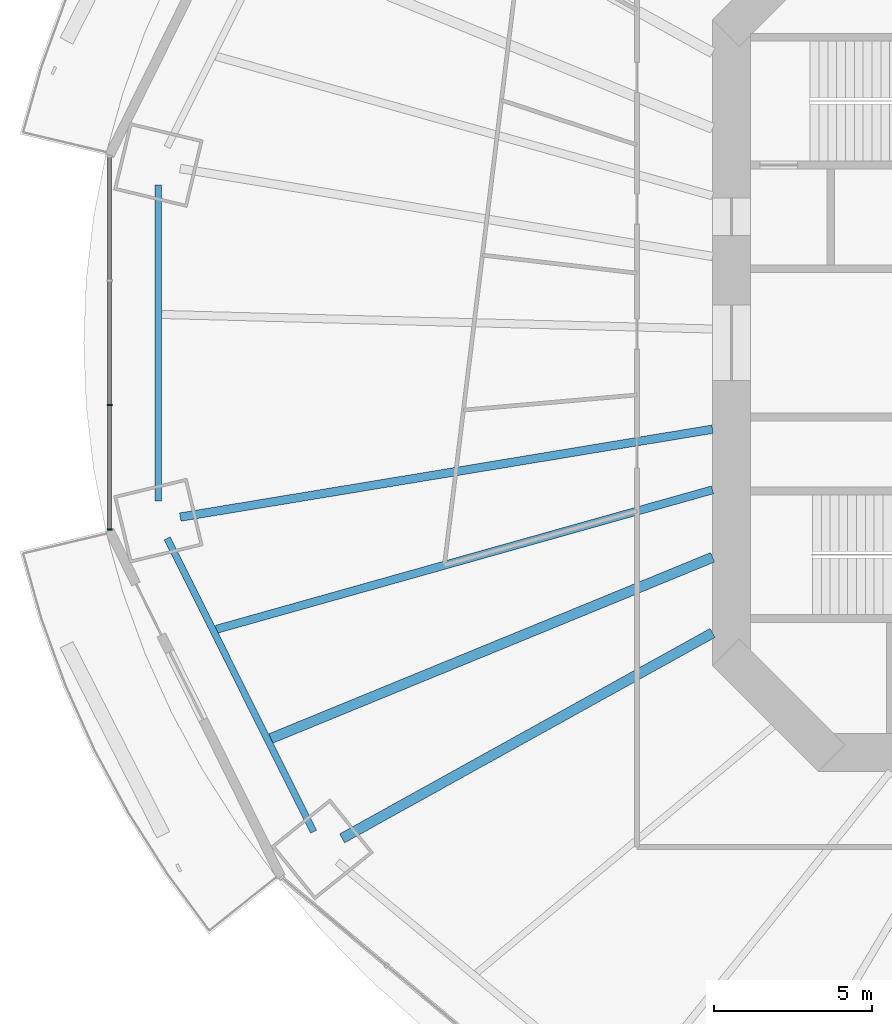
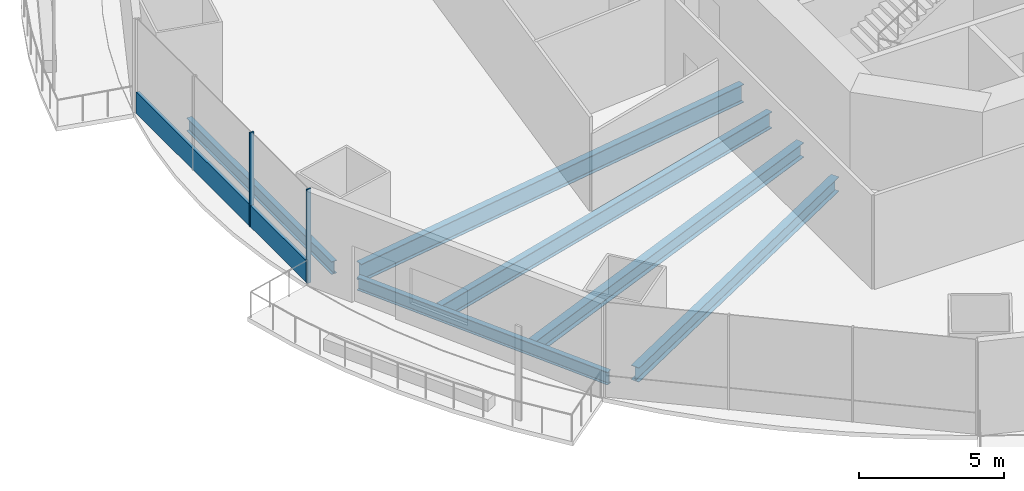
# One storey, part 3 of 23: 6 beams, 3 members, 1 element without a shape of its own.
"""IFC4 building model written with IfcOpenShell, lengths in metres."""

from ifc_helpers import new_model, si_unit, direction, frame, origin, origin_2d, place, context, subcontext, project, spatial, rectangle, i_section, extrude, material, material_profile, profile_set, type_object, element, aggregate, save


model = new_model("IFC4")

# Units and contexts
model_context = context("Model", 3, precision=1e-05, world=origin(), true_north=direction((0.0, 1.0)))
body_context = subcontext(model_context, "Body", "Model", "MODEL_VIEW")
ifc_project = project(units=[si_unit("LENGTHUNIT", "METRE"), si_unit("AREAUNIT", "SQUARE_METRE"), si_unit("VOLUMEUNIT", "CUBIC_METRE"), si_unit("PLANEANGLEUNIT", "RADIAN"), si_unit("MASSUNIT", "GRAM", prefix="KILO")], contexts=[model_context])

# Site, building, storey
site_placement = place(None, origin())
site = spatial("IfcSite", under=ifc_project, at=site_placement, CompositionType="ELEMENT")
building_placement = place(site_placement, origin())
building = spatial("IfcBuilding", under=site, at=building_placement, Name="Marenthal Gate Tower", CompositionType="ELEMENT")
storey_placement = place(building_placement, frame((0.0, 0.0, 45.449951171875)))
storey = spatial("IfcBuildingStorey", under=building, at=storey_placement, Name="L07", CompositionType="ELEMENT", Elevation=45.449951171875)

# Curtain wall, members
ifc_material_1 = material(Name="Aluminium and glass", Category="aluminium")
curtain_wall_type = type_object("IfcCurtainWallType", Name="Curtain wall typical low", PredefinedType="NOTDEFINED", material=ifc_material_1)
curtain_wall_placement = place(storey_placement, origin())
curtain_wall = element("IfcCurtainWall", 1, at=curtain_wall_placement, inside=storey, type_object=curtain_wall_type, Name="Curtain wall L07 bay 8", PredefinedType="NOTDEFINED")
ifc_material_2 = material(Name="Aluminium", Category="aluminium")
ifc_material_profile_1 = material_profile(ifc_material_2, rectangle(XDim=0.159912109375, YDim=0.06005859375, at=origin_2d()), Name="60x160 aluminium mullion")
ifc_profile_set_1 = profile_set([ifc_material_profile_1], Name="Aluminium")
member_type_1 = type_object("IfcMemberType", Name="Mullion 60x160 typical low", PredefinedType="MULLION", material=ifc_profile_set_1)
member_1_placement = place(storey_placement, frame((-35.73779296875, -1.974365234375, 0.0), z_axis=(0.0, 0.0, 1.0), x_axis=(1.0, 0.0, 0.0)))
member_1 = element("IfcMember", 2, at=member_1_placement, type_object=member_type_1, Name="Mullion L07 bay 8.3", PredefinedType="MULLION", context=body_context, shape_type="SweptSolid", body=[
    extrude(rectangle(XDim=0.159912109375, YDim=0.06005859375, at=origin_2d()), origin(), (0.0, 0.0, 1.0), 3.969970703125),
])
member_2_placement = place(storey_placement, frame((-35.73779296875, -5.923095703125, 0.0), z_axis=(0.0, 0.0, 1.0), x_axis=(1.0, 0.0, 0.0)))
member_2 = element("IfcMember", 3, at=member_2_placement, type_object=member_type_1, Name="Mullion L07 bay 8.4", PredefinedType="MULLION", context=body_context, shape_type="SweptSolid", body=[
    extrude(rectangle(XDim=0.159912109375, YDim=0.06005859375, at=origin_2d()), origin(), (0.0, 0.0, 1.0), 3.969970703125),
])
ifc_material_3 = material(Name="Aluminium", Category="aluminium")
ifc_material_profile_2 = material_profile(ifc_material_3, rectangle(XDim=0.1201171875, YDim=0.89990234375, at=origin_2d()), Name="120x900 aluminium transom")
ifc_profile_set_2 = profile_set([ifc_material_profile_2], Name="Aluminium")
member_type_2 = type_object("IfcMemberType", Name="Transom 120x900 typical low", PredefinedType="USERDEFINED", material=ifc_profile_set_2)
member_3_placement = place(storey_placement, frame((-35.73779296875, 5.893310546875, 0.449951171875), z_axis=(0.0, -1.0, 0.0), x_axis=(1.0, 0.0, 0.0)))
member_3 = element("IfcMember", 4, at=member_3_placement, type_object=member_type_2, Name="Transom L07 bay 8", ObjectType="TRANSOM", PredefinedType="USERDEFINED", context=body_context, shape_type="SweptSolid", body=[
    extrude(rectangle(XDim=0.1201171875, YDim=0.89990234375, at=origin_2d()), origin(), (0.0, 0.0, 1.0), 11.78662109375),
])
aggregate(curtain_wall, [member_1, member_2, member_3])

# Beams
ifc_material_4 = material(Name="Steel S355", Category="steel")
ifc_material_profile_3 = material_profile(ifc_material_4, i_section(OverallWidth=0.2119140625, OverallDepth=0.5439453125, WebThickness=0.01318359375, FlangeThickness=0.021240234375, FilletRadius=0.0126953125, at=origin_2d()), Name="W530X123")
ifc_profile_set_3 = profile_set([ifc_material_profile_3], Name="Steel S355")
beam_type_1 = type_object("IfcBeamType", Name="W530X123 beam", PredefinedType="BEAM", material=ifc_profile_set_3)
beam_1_placement = place(storey_placement, frame((-34.188232421875, 5.013916015625, -0.451904296875), z_axis=(0.0, -1.0, 0.0), x_axis=(1.0, 0.0, 0.0)))
element("IfcBeam", 5, at=beam_1_placement, inside=storey, type_object=beam_type_1, Name="BM-L07-48", PredefinedType="BEAM", context=body_context, shape_type="SweptSolid", body=[
    extrude(i_section(OverallWidth=0.2119140625, OverallDepth=0.5439453125, WebThickness=0.01318359375, FlangeThickness=0.021240234375, FilletRadius=0.0126953125, at=origin_2d()), origin(), (0.0, 0.0, 1.0), 10.02783203125),
])
beam_2_placement = place(storey_placement, frame((-33.9072265625, -6.207763671875, -0.451904296875), z_axis=(0.446499954542, -0.894783655748, 0.0), x_axis=(0.894783655748, 0.446499954542, 0.0)))
element("IfcBeam", 6, at=beam_2_placement, inside=storey, type_object=beam_type_1, Name="BM-L07-49", PredefinedType="BEAM", context=body_context, shape_type="SweptSolid", body=[
    extrude(i_section(OverallWidth=0.2119140625, OverallDepth=0.5439453125, WebThickness=0.01318359375, FlangeThickness=0.021240234375, FilletRadius=0.0126953125, at=origin_2d()), origin(), (0.0, 0.0, 1.0), 10.402099609375),
])
ifc_material_5 = material(Name="Steel S355", Category="steel")
ifc_material_profile_4 = material_profile(ifc_material_5, i_section(OverallWidth=0.324951171875, OverallDepth=0.612060546875, WebThickness=0.0126953125, FlangeThickness=0.01904296875, FilletRadius=0.0126953125, at=origin_2d()), Name="W610X155")
ifc_profile_set_4 = profile_set([ifc_material_profile_4], Name="Steel S355")
beam_type_2 = type_object("IfcBeamType", Name="W610X155 beam", PredefinedType="BEAM", material=ifc_profile_set_4)
beam_3_placement = place(storey_placement, frame((-28.355712890625, -15.727294921875, -0.48583984375), z_axis=(0.874492882968, 0.485038346565, 0.0), x_axis=(-0.485038346565, 0.874492882968, 0.0)))
element("IfcBeam", 7, at=beam_3_placement, inside=storey, type_object=beam_type_2, Name="BM-L07-10", PredefinedType="BEAM", context=body_context, shape_type="SweptSolid", body=[
    extrude(i_section(OverallWidth=0.324951171875, OverallDepth=0.612060546875, WebThickness=0.0126953125, FlangeThickness=0.01904296875, FilletRadius=0.0126953125, at=origin_2d()), origin(), (0.0, 0.0, 1.0), 13.44287109375),
])
beam_4_placement = place(storey_placement, frame((-30.6201171875, -12.55810546875, -0.48583984375), z_axis=(0.925210391668, 0.379454517894, 0.0), x_axis=(-0.379454517894, 0.925210391668, 0.0)))
element("IfcBeam", 8, at=beam_4_placement, inside=storey, type_object=beam_type_2, Name="BM-L07-30", PredefinedType="BEAM", context=body_context, shape_type="SweptSolid", body=[
    extrude(i_section(OverallWidth=0.324951171875, OverallDepth=0.612060546875, WebThickness=0.0126953125, FlangeThickness=0.01904296875, FilletRadius=0.0126953125, at=origin_2d()), origin(), (0.0, 0.0, 1.0), 15.1533203125),
])
ifc_material_6 = material(Name="Steel S355", Category="steel")
ifc_material_profile_5 = material_profile(ifc_material_6, i_section(OverallWidth=0.257080078125, OverallDepth=0.693115234375, WebThickness=0.014404296875, FlangeThickness=0.023681640625, FilletRadius=0.015380859375, at=origin_2d()), Name="W690X170")
ifc_profile_set_5 = profile_set([ifc_material_profile_5], Name="Steel S355")
beam_type_3 = type_object("IfcBeamType", Name="W690X170 beam", PredefinedType="BEAM", material=ifc_profile_set_5)
beam_5_placement = place(storey_placement, frame((-32.349365234375, -9.092529296875, -0.5263671875), z_axis=(0.962694320478, 0.27059128833, 0.0), x_axis=(-0.27059128833, 0.962694320478, 0.0)))
element("IfcBeam", 9, at=beam_5_placement, inside=storey, type_object=beam_type_3, Name="BM-L07-29", PredefinedType="BEAM", context=body_context, shape_type="SweptSolid", body=[
    extrude(i_section(OverallWidth=0.257080078125, OverallDepth=0.693115234375, WebThickness=0.014404296875, FlangeThickness=0.023681640625, FilletRadius=0.015380859375, at=origin_2d()), origin(), (0.0, 0.0, 1.0), 16.359619140625),
])
ifc_material_7 = material(Name="Steel S355", Category="steel")
ifc_material_profile_6 = material_profile(ifc_material_7, i_section(OverallWidth=0.26708984375, OverallDepth=0.761962890625, WebThickness=0.014404296875, FlangeThickness=0.021484375, FilletRadius=0.0166015625, at=origin_2d()), Name="W760X173")
ifc_profile_set_6 = profile_set([ifc_material_profile_6], Name="Steel S355")
beam_type_4 = type_object("IfcBeamType", Name="W760X173 beam", PredefinedType="BEAM", material=ifc_profile_set_6)
beam_6_placement = place(storey_placement, frame((-33.494384765625, -5.530517578125, -0.56103515625), z_axis=(0.986640584699, 0.162912113192, 0.0), x_axis=(-0.162912113192, 0.986640584699, 0.0)))
element("IfcBeam", 10, at=beam_6_placement, inside=storey, type_object=beam_type_4, Name="BM-L07-09", PredefinedType="BEAM", context=body_context, shape_type="SweptSolid", body=[
    extrude(i_section(OverallWidth=0.26708984375, OverallDepth=0.761962890625, WebThickness=0.014404296875, FlangeThickness=0.021484375, FilletRadius=0.0166015625, at=origin_2d()), origin(), (0.0, 0.0, 1.0), 17.123046875),
])

save(model, "model.ifc")
